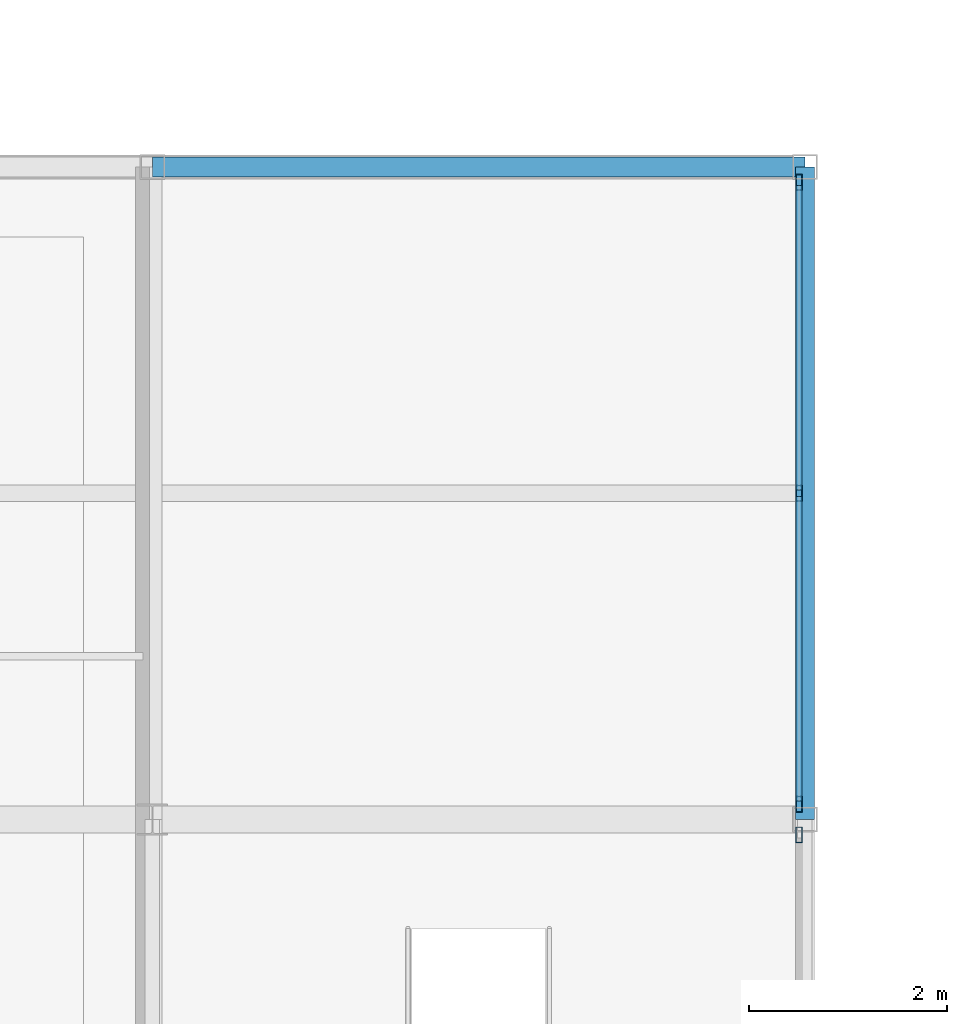
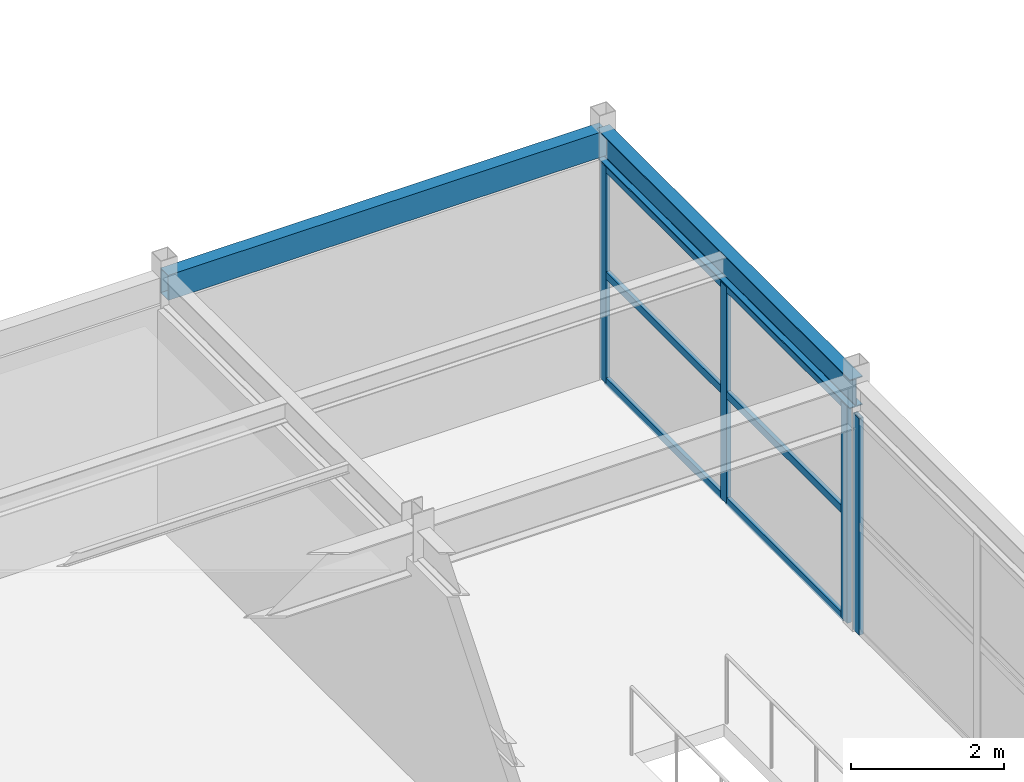
# One storey, part 71 of 148: 10 members, 2 beams, 2 elements without a shape of their own.
"""IFC4 building model written with IfcOpenShell, lengths in metres."""

from ifc_helpers import new_model, si_unit, direction, frame, origin, origin_2d, place, context, subcontext, project, spatial, hollow_rectangle, i_section, extrude, material, material_profile, profile_set, type_object, element, aggregate, save


model = new_model("IFC4")

# Units and contexts
model_context = context("Model", 3, precision=1e-05, world=origin(), true_north=direction((0.0, 1.0)))
body_context = subcontext(model_context, "Body", "Model", "MODEL_VIEW")
ifc_project = project(units=[si_unit("LENGTHUNIT", "METRE"), si_unit("AREAUNIT", "SQUARE_METRE"), si_unit("VOLUMEUNIT", "CUBIC_METRE"), si_unit("PLANEANGLEUNIT", "RADIAN"), si_unit("MASSUNIT", "GRAM", prefix="KILO")], contexts=[model_context])

# Site, building, storey
site_placement = place(None, origin())
site = spatial("IfcSite", under=ifc_project, at=site_placement, CompositionType="ELEMENT")
building_placement = place(site_placement, origin())
building = spatial("IfcBuilding", under=site, at=building_placement, Name="Karori Crest Natural Sciences Institute", CompositionType="ELEMENT")
storey_placement = place(building_placement, frame((0.0, 0.0, 4.89990234375)))
storey = spatial("IfcBuildingStorey", under=building, at=storey_placement, Name="L01", CompositionType="ELEMENT", Elevation=4.89990234375)

# Beams
ifc_material_1 = material(Name="Structural steel AS/NZS 3679.1 Grade 350", Category="steel")
ifc_material_profile_1 = material_profile(ifc_material_1, i_section(OverallWidth=0.19091796875, OverallDepth=0.4599609375, WebThickness=0.010009765625, FlangeThickness=0.01611328125, FilletRadius=0.010986328125, at=origin_2d()), Name="460UB82.1")
ifc_profile_set_1 = profile_set([ifc_material_profile_1], Name="Structural steel AS/NZS 3679.1 Grade 350")
beam_type_1 = type_object("IfcBeamType", Name="BT-06-EL", PredefinedType="BEAM", material=ifc_profile_set_1)
beam_1_placement = place(storey_placement, frame((27.199951171875, 66.800048828125, 3.690185546875), z_axis=(0.0, 1.0, 0.0), x_axis=(-1.0, 0.0, 0.0)))
element("IfcBeam", 1, at=beam_1_placement, inside=storey, type_object=beam_type_1, Name="Beam B-1055", PredefinedType="BEAM", context=body_context, shape_type="SweptSolid", body=[
    extrude(i_section(OverallWidth=0.19091796875, OverallDepth=0.4599609375, WebThickness=0.010009765625, FlangeThickness=0.01611328125, FilletRadius=0.010986328125, at=origin_2d()), origin(), (0.0, 0.0, 1.0), 6.599853515625),
])
ifc_material_2 = material(Name="Hollow structural steel AS/NZS 1163 Grade C350", Category="steel")
ifc_material_profile_2 = material_profile(ifc_material_2, hollow_rectangle(XDim=0.199951171875, YDim=0.39990234375, WallThickness=0.012451171875, at=origin_2d()), Name="RHS400x200x12.5")
ifc_profile_set_2 = profile_set([ifc_material_profile_2], Name="Hollow structural steel AS/NZS 1163 Grade C350")
beam_type_2 = type_object("IfcBeamType", Name="BT-14", PredefinedType="SPANDREL", material=ifc_profile_set_2)
beam_2_placement = place(storey_placement, frame((20.60009765625, 73.39990234375, 3.72021484375), z_axis=(1.0, 0.0, 0.0), x_axis=(0.0, 1.0, 0.0)))
element("IfcBeam", 2, at=beam_2_placement, inside=storey, type_object=beam_type_2, Name="Beam B-1027", PredefinedType="SPANDREL", context=body_context, shape_type="SweptSolid", body=[
    extrude(hollow_rectangle(XDim=0.199951171875, YDim=0.39990234375, WallThickness=0.012451171875, at=origin_2d()), origin(), (0.0, 0.0, 1.0), 6.599853515625),
])

# Curtain wall, member
ifc_material_3 = material(Name="Anodised architectural aluminium 6063-T6", Category="aluminium")
curtain_wall_type = type_object("IfcCurtainWallType", Name="CWT-18", PredefinedType="NOTDEFINED", material=ifc_material_3)
curtain_wall_1_placement = place(storey_placement, origin())
curtain_wall_1 = element("IfcCurtainWall", 3, at=curtain_wall_1_placement, inside=storey, type_object=curtain_wall_type, Name="Curtain wall CW-0268", PredefinedType="NOTDEFINED")
ifc_material_profile_3 = material_profile(ifc_material_3, hollow_rectangle(XDim=0.06494140625, YDim=0.159912109375, WallThickness=0.00390625, at=origin_2d()), Name="CWM160x65x4")
ifc_profile_set_3 = profile_set([ifc_material_profile_3], Name="Anodised architectural aluminium 6063-T6")
member_type_1 = type_object("IfcMemberType", Name="CWM-01", PredefinedType="MULLION", material=ifc_profile_set_3)
member_1_placement = place(storey_placement, frame((27.139892578125, 66.64453125, 0.0), z_axis=(0.0, 0.0, 1.0), x_axis=(1.0, 0.0, 0.0)))
member_1 = element("IfcMember", 4, at=member_1_placement, type_object=member_type_1, Name="CW-0268 mullion 1", PredefinedType="MULLION", context=body_context, shape_type="SweptSolid", body=[
    extrude(hollow_rectangle(XDim=0.06494140625, YDim=0.159912109375, WallThickness=0.00390625, at=origin_2d()), origin(), (0.0, 0.0, 1.0), 3.445068359375),
])
aggregate(curtain_wall_1, [member_1])

# Curtain wall, members
curtain_wall_2_placement = place(storey_placement, origin())
curtain_wall_2 = element("IfcCurtainWall", 5, at=curtain_wall_2_placement, inside=storey, type_object=curtain_wall_type, Name="Curtain wall CW-0269", PredefinedType="NOTDEFINED")
member_2_placement = place(storey_placement, frame((27.139892578125, 73.244384765625, 0.0), z_axis=(0.0, 0.0, 1.0), x_axis=(1.0, 0.0, 0.0)))
member_2 = element("IfcMember", 6, at=member_2_placement, type_object=member_type_1, Name="CW-0269 mullion 1", PredefinedType="MULLION", context=body_context, shape_type="SweptSolid", body=[
    extrude(hollow_rectangle(XDim=0.06494140625, YDim=0.159912109375, WallThickness=0.00390625, at=origin_2d()), origin(), (0.0, 0.0, 1.0), 3.445068359375),
])
member_3_placement = place(storey_placement, frame((27.139892578125, 70.10009765625, 0.0), z_axis=(0.0, 0.0, 1.0), x_axis=(1.0, 0.0, 0.0)))
member_3 = element("IfcMember", 7, at=member_3_placement, type_object=member_type_1, Name="CW-0269 mullion 2", PredefinedType="MULLION", context=body_context, shape_type="SweptSolid", body=[
    extrude(hollow_rectangle(XDim=0.06494140625, YDim=0.159912109375, WallThickness=0.00390625, at=origin_2d()), origin(), (0.0, 0.0, 1.0), 3.445068359375),
])
member_4_placement = place(storey_placement, frame((27.139892578125, 66.95556640625, 0.0), z_axis=(0.0, 0.0, 1.0), x_axis=(1.0, 0.0, 0.0)))
member_4 = element("IfcMember", 8, at=member_4_placement, type_object=member_type_1, Name="CW-0269 mullion 3", PredefinedType="MULLION", context=body_context, shape_type="SweptSolid", body=[
    extrude(hollow_rectangle(XDim=0.06494140625, YDim=0.159912109375, WallThickness=0.00390625, at=origin_2d()), origin(), (0.0, 0.0, 1.0), 3.445068359375),
])
ifc_material_profile_4 = material_profile(ifc_material_3, hollow_rectangle(XDim=0.06005859375, YDim=0.1201171875, WallThickness=0.00390625, at=origin_2d()), Name="CWT120x60x4")
ifc_profile_set_4 = profile_set([ifc_material_profile_4], Name="Anodised architectural aluminium 6063-T6")
member_type_2 = type_object("IfcMemberType", Name="CWT-TR1", PredefinedType="USERDEFINED", material=ifc_profile_set_4)
member_5_placement = place(storey_placement, frame((27.139892578125, 73.2119140625, 0.030029296875), z_axis=(0.0, -1.0, 0.0), x_axis=(1.0, 0.0, 0.0)))
member_5 = element("IfcMember", 9, at=member_5_placement, type_object=member_type_2, Name="CW-0269 transom 1.1", ObjectType="TRANSOM", PredefinedType="USERDEFINED", context=body_context, shape_type="SweptSolid", body=[
    extrude(hollow_rectangle(XDim=0.06005859375, YDim=0.1201171875, WallThickness=0.00390625, at=origin_2d()), origin(), (0.0, 0.0, 1.0), 3.079345703125),
])
member_6_placement = place(storey_placement, frame((27.139892578125, 73.2119140625, 1.72265625), z_axis=(0.0, -1.0, 0.0), x_axis=(1.0, 0.0, 0.0)))
member_6 = element("IfcMember", 10, at=member_6_placement, type_object=member_type_2, Name="CW-0269 transom 1.2", ObjectType="TRANSOM", PredefinedType="USERDEFINED", context=body_context, shape_type="SweptSolid", body=[
    extrude(hollow_rectangle(XDim=0.06005859375, YDim=0.1201171875, WallThickness=0.00390625, at=origin_2d()), origin(), (0.0, 0.0, 1.0), 3.079345703125),
])
member_7_placement = place(storey_placement, frame((27.139892578125, 73.2119140625, 3.4150390625), z_axis=(0.0, -1.0, 0.0), x_axis=(1.0, 0.0, 0.0)))
member_7 = element("IfcMember", 11, at=member_7_placement, type_object=member_type_2, Name="CW-0269 transom 1.3", ObjectType="TRANSOM", PredefinedType="USERDEFINED", context=body_context, shape_type="SweptSolid", body=[
    extrude(hollow_rectangle(XDim=0.06005859375, YDim=0.1201171875, WallThickness=0.00390625, at=origin_2d()), origin(), (0.0, 0.0, 1.0), 3.079345703125),
])
member_8_placement = place(storey_placement, frame((27.139892578125, 70.0673828125, 0.030029296875), z_axis=(0.0, -1.0, 0.0), x_axis=(1.0, 0.0, 0.0)))
member_8 = element("IfcMember", 12, at=member_8_placement, type_object=member_type_2, Name="CW-0269 transom 2.1", ObjectType="TRANSOM", PredefinedType="USERDEFINED", context=body_context, shape_type="SweptSolid", body=[
    extrude(hollow_rectangle(XDim=0.06005859375, YDim=0.1201171875, WallThickness=0.00390625, at=origin_2d()), origin(), (0.0, 0.0, 1.0), 3.079345703125),
])
member_9_placement = place(storey_placement, frame((27.139892578125, 70.0673828125, 1.72265625), z_axis=(0.0, -1.0, 0.0), x_axis=(1.0, 0.0, 0.0)))
member_9 = element("IfcMember", 13, at=member_9_placement, type_object=member_type_2, Name="CW-0269 transom 2.2", ObjectType="TRANSOM", PredefinedType="USERDEFINED", context=body_context, shape_type="SweptSolid", body=[
    extrude(hollow_rectangle(XDim=0.06005859375, YDim=0.1201171875, WallThickness=0.00390625, at=origin_2d()), origin(), (0.0, 0.0, 1.0), 3.079345703125),
])
member_10_placement = place(storey_placement, frame((27.139892578125, 70.0673828125, 3.4150390625), z_axis=(0.0, -1.0, 0.0), x_axis=(1.0, 0.0, 0.0)))
member_10 = element("IfcMember", 14, at=member_10_placement, type_object=member_type_2, Name="CW-0269 transom 2.3", ObjectType="TRANSOM", PredefinedType="USERDEFINED", context=body_context, shape_type="SweptSolid", body=[
    extrude(hollow_rectangle(XDim=0.06005859375, YDim=0.1201171875, WallThickness=0.00390625, at=origin_2d()), origin(), (0.0, 0.0, 1.0), 3.079345703125),
])
aggregate(curtain_wall_2, [member_2, member_3, member_4, member_5, member_6, member_7, member_8, member_9, member_10])

save(model, "model.ifc")
